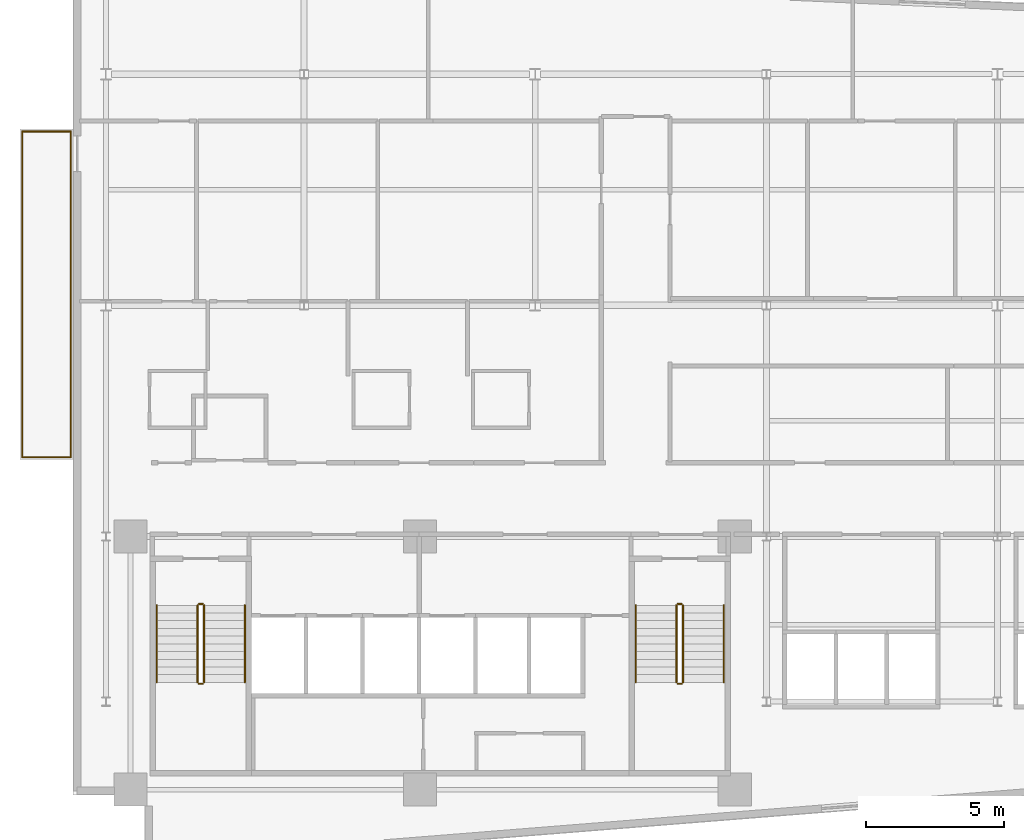
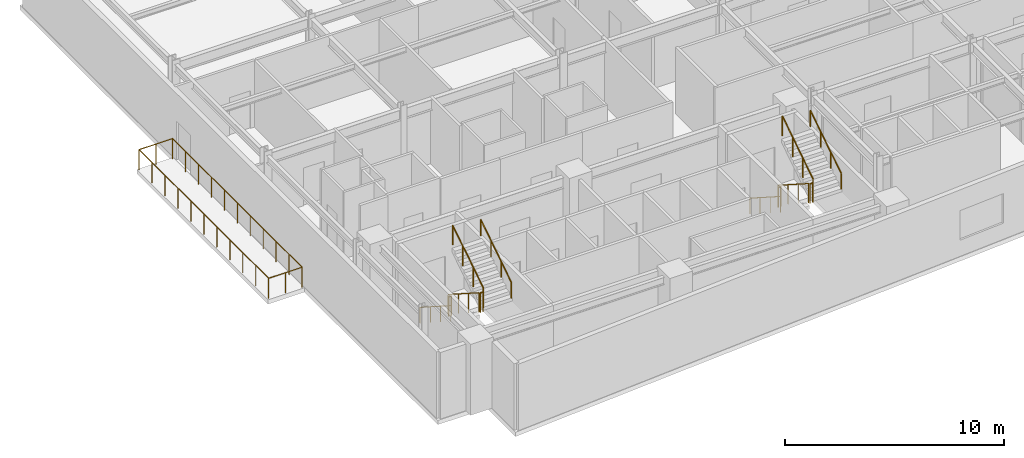
# One storey, part 15 of 18: 16 railings.
"""IFC4 building model written with IfcOpenShell, lengths in metres."""

from ifc_helpers import new_model, si_unit, direction, frame, origin, origin_2d, place, context, subcontext, project, spatial, circle, extrude, material, type_object, element, save


model = new_model("IFC4")

# Units and contexts
model_context = context("Model", 3, precision=1e-05, world=origin(), true_north=direction((0.0, 1.0)))
body_context = subcontext(model_context, "Body", "Model", "MODEL_VIEW")
ifc_project = project(units=[si_unit("LENGTHUNIT", "METRE"), si_unit("AREAUNIT", "SQUARE_METRE"), si_unit("VOLUMEUNIT", "CUBIC_METRE"), si_unit("PLANEANGLEUNIT", "RADIAN"), si_unit("MASSUNIT", "GRAM", prefix="KILO")], contexts=[model_context])

# Site, building, storey
site_placement = place(None, origin())
site = spatial("IfcSite", under=ifc_project, at=site_placement, CompositionType="ELEMENT")
building_placement = place(site_placement, origin())
building = spatial("IfcBuilding", under=site, at=building_placement, Name="Varnakote Quay Hospital", CompositionType="ELEMENT")
storey_placement = place(building_placement, frame((0.0, 0.0, 107.300048828125)))
storey = spatial("IfcBuildingStorey", under=building, at=storey_placement, Name="L26", CompositionType="ELEMENT", Elevation=107.300048828125)

# Railings
ifc_material_1 = material(Name="Anodised aluminium 6063-T6 Bronze", Category="aluminium")
railing_type_1 = type_object("IfcRailingType", Name="RLG-EXT-GUARD-1150", PredefinedType="GUARDRAIL", material=ifc_material_1)
railing_1_placement = place(storey_placement, frame((-0.075927734375, 14.8798828125, 0.0)))
element("IfcRailing", 1, at=railing_1_placement, inside=storey, type_object=railing_type_1, Name="L26 Zigzag Prow Healing Terrace Safety Guard", PredefinedType="GUARDRAIL", context=body_context, shape_type="SweptSolid", body=[
    extrude(circle(Radius=0.02392578125, at=origin_2d()), frame((0.0, 0.0, 1.1259765625), z_axis=(-1.0, 0.0, 0.0), x_axis=(0.0, -1.0, 0.0)), (0.0, 0.0, 1.0), 1.76416015625),
    extrude(circle(Radius=0.02099609375, at=origin_2d()), origin(), (0.0, 0.0, 1.0), 1.101806640625),
    extrude(circle(Radius=0.02099609375, at=origin_2d()), frame((-0.882080078125, 0.0, 0.0)), (0.0, 0.0, 1.0), 1.101806640625),
    extrude(circle(Radius=0.02099609375, at=origin_2d()), frame((-1.76416015625, 0.0, 0.0)), (0.0, 0.0, 1.0), 1.101806640625),
])
railing_2_placement = place(storey_placement, frame((-1.840087890625, 14.8798828125, 0.0)))
element("IfcRailing", 2, at=railing_2_placement, inside=storey, type_object=railing_type_1, Name="L26 Zigzag Prow Healing Terrace Safety Guard", PredefinedType="GUARDRAIL", context=body_context, shape_type="SweptSolid", body=[
    extrude(circle(Radius=0.02392578125, at=origin_2d()), frame((0.0, 0.0, 1.1259765625), z_axis=(0.0, 1.0, 0.0), x_axis=(-1.0, 0.0, 0.0)), (0.0, 0.0, 1.0), 11.840087890625),
    extrude(circle(Radius=0.02099609375, at=origin_2d()), origin(), (0.0, 0.0, 1.0), 1.101806640625),
    extrude(circle(Radius=0.02099609375, at=origin_2d()), frame((0.0, 1.18408203125, 0.0)), (0.0, 0.0, 1.0), 1.101806640625),
    extrude(circle(Radius=0.02099609375, at=origin_2d()), frame((0.0, 2.367919921875, 0.0)), (0.0, 0.0, 1.0), 1.101806640625),
    extrude(circle(Radius=0.02099609375, at=origin_2d()), frame((0.0, 3.552001953125, 0.0)), (0.0, 0.0, 1.0), 1.101806640625),
    extrude(circle(Radius=0.02099609375, at=origin_2d()), frame((0.0, 4.736083984375, 0.0)), (0.0, 0.0, 1.0), 1.101806640625),
    extrude(circle(Radius=0.02099609375, at=origin_2d()), frame((0.0, 5.919921875, 0.0)), (0.0, 0.0, 1.0), 1.101806640625),
    extrude(circle(Radius=0.02099609375, at=origin_2d()), frame((0.0, 7.10400390625, 0.0)), (0.0, 0.0, 1.0), 1.101806640625),
    extrude(circle(Radius=0.02099609375, at=origin_2d()), frame((0.0, 8.2880859375, 0.0)), (0.0, 0.0, 1.0), 1.101806640625),
    extrude(circle(Radius=0.02099609375, at=origin_2d()), frame((0.0, 9.47216796875, 0.0)), (0.0, 0.0, 1.0), 1.101806640625),
    extrude(circle(Radius=0.02099609375, at=origin_2d()), frame((0.0, 10.656005859375, 0.0)), (0.0, 0.0, 1.0), 1.101806640625),
    extrude(circle(Radius=0.02099609375, at=origin_2d()), frame((0.0, 11.840087890625, 0.0)), (0.0, 0.0, 1.0), 1.101806640625),
])
railing_3_placement = place(storey_placement, frame((-1.840087890625, 26.719970703125, 0.0)))
element("IfcRailing", 3, at=railing_3_placement, inside=storey, type_object=railing_type_1, Name="L26 Zigzag Prow Healing Terrace Safety Guard", PredefinedType="GUARDRAIL", context=body_context, shape_type="SweptSolid", body=[
    extrude(circle(Radius=0.02392578125, at=origin_2d()), frame((0.0, 0.0, 1.1259765625), z_axis=(1.0, 0.0, 0.0), x_axis=(0.0, 1.0, 0.0)), (0.0, 0.0, 1.0), 1.76416015625),
    extrude(circle(Radius=0.02099609375, at=origin_2d()), origin(), (0.0, 0.0, 1.0), 1.101806640625),
    extrude(circle(Radius=0.02099609375, at=origin_2d()), frame((0.882080078125, 0.0, 0.0)), (0.0, 0.0, 1.0), 1.101806640625),
    extrude(circle(Radius=0.02099609375, at=origin_2d()), frame((1.76416015625, 0.0, 0.0)), (0.0, 0.0, 1.0), 1.101806640625),
])
railing_4_placement = place(storey_placement, frame((-0.075927734375, 26.719970703125, 0.0)))
element("IfcRailing", 4, at=railing_4_placement, inside=storey, type_object=railing_type_1, Name="L26 Zigzag Prow Healing Terrace Safety Guard", PredefinedType="GUARDRAIL", context=body_context, shape_type="SweptSolid", body=[
    extrude(circle(Radius=0.02392578125, at=origin_2d()), frame((0.0, 0.0, 1.1259765625), z_axis=(0.0, -1.0, 0.0), x_axis=(1.0, 0.0, 0.0)), (0.0, 0.0, 1.0), 11.840087890625),
    extrude(circle(Radius=0.02099609375, at=origin_2d()), origin(), (0.0, 0.0, 1.0), 1.101806640625),
    extrude(circle(Radius=0.02099609375, at=origin_2d()), frame((0.0, -1.18408203125, 0.0)), (0.0, 0.0, 1.0), 1.101806640625),
    extrude(circle(Radius=0.02099609375, at=origin_2d()), frame((0.0, -2.367919921875, 0.0)), (0.0, 0.0, 1.0), 1.101806640625),
    extrude(circle(Radius=0.02099609375, at=origin_2d()), frame((0.0, -3.552001953125, 0.0)), (0.0, 0.0, 1.0), 1.101806640625),
    extrude(circle(Radius=0.02099609375, at=origin_2d()), frame((0.0, -4.736083984375, 0.0)), (0.0, 0.0, 1.0), 1.101806640625),
    extrude(circle(Radius=0.02099609375, at=origin_2d()), frame((0.0, -5.919921875, 0.0)), (0.0, 0.0, 1.0), 1.101806640625),
    extrude(circle(Radius=0.02099609375, at=origin_2d()), frame((0.0, -7.10400390625, 0.0)), (0.0, 0.0, 1.0), 1.101806640625),
    extrude(circle(Radius=0.02099609375, at=origin_2d()), frame((0.0, -8.2880859375, 0.0)), (0.0, 0.0, 1.0), 1.101806640625),
    extrude(circle(Radius=0.02099609375, at=origin_2d()), frame((0.0, -9.47216796875, 0.0)), (0.0, 0.0, 1.0), 1.101806640625),
    extrude(circle(Radius=0.02099609375, at=origin_2d()), frame((0.0, -10.656005859375, 0.0)), (0.0, 0.0, 1.0), 1.101806640625),
    extrude(circle(Radius=0.02099609375, at=origin_2d()), frame((0.0, -11.840087890625, 0.0)), (0.0, 0.0, 1.0), 1.101806640625),
])
ifc_material_2 = material(Name="Brushed stainless steel balustrade", Category="steel")
railing_type_2 = type_object("IfcRailingType", Name="RLG-STAIR-GUARD-1150", PredefinedType="GUARDRAIL", material=ifc_material_2)
railing_5_placement = place(storey_placement, frame((4.530029296875, 9.5, 0.179443359375)))
element("IfcRailing", 5, at=railing_5_placement, inside=storey, type_object=railing_type_2, Name="L26 ST-01 stair guard 1", PredefinedType="GUARDRAIL", context=body_context, shape_type="SweptSolid", body=[
    extrude(circle(Radius=0.02392578125, at=origin_2d()), frame((0.0, 0.0, 1.076171875), z_axis=(0.0, -0.841809871826, 0.539774156196), x_axis=(1.0, 0.0, 0.0)), (0.0, 0.0, 1.0), 3.326171875),
    extrude(circle(Radius=0.02099609375, at=origin_2d()), origin(), (0.0, 0.0, 1.0), 1.052001953125),
    extrude(circle(Radius=0.02099609375, at=origin_2d()), frame((0.0, -0.933349609375, 0.598388671875)), (0.0, 0.0, 1.0), 1.052001953125),
    extrude(circle(Radius=0.02099609375, at=origin_2d()), frame((0.0, -1.86669921875, 1.197021484375)), (0.0, 0.0, 1.0), 1.052001953125),
    extrude(circle(Radius=0.02099609375, at=origin_2d()), frame((0.0, -2.800048828125, 1.79541015625)), (0.0, 0.0, 1.0), 1.052001953125),
])
railing_6_placement = place(storey_placement, frame((4.580078125, 6.64990234375, 1.974853515625)))
element("IfcRailing", 6, at=railing_6_placement, inside=storey, type_object=railing_type_2, Name="L26 ST-01 stair guard 2", PredefinedType="GUARDRAIL", context=body_context, shape_type="SweptSolid", body=[
    extrude(circle(Radius=0.02392578125, at=origin_2d()), frame((0.0, 0.0, 1.076171875), z_axis=(1.0, 0.0, 0.0), x_axis=(0.0, 1.0, 0.0)), (0.0, 0.0, 1.0), 0.139892578125),
    extrude(circle(Radius=0.02099609375, at=origin_2d()), origin(), (0.0, 0.0, 1.0), 1.052001953125),
    extrude(circle(Radius=0.02099609375, at=origin_2d()), frame((0.139892578125, 0.0, 0.0)), (0.0, 0.0, 1.0), 1.052001953125),
])
railing_7_placement = place(storey_placement, frame((4.77001953125, 6.699951171875, 2.154541015625)))
element("IfcRailing", 7, at=railing_7_placement, inside=storey, type_object=railing_type_2, Name="L26 ST-01 stair guard 3", PredefinedType="GUARDRAIL", context=body_context, shape_type="SweptSolid", body=[
    extrude(circle(Radius=0.02392578125, at=origin_2d()), frame((0.0, 0.0, 1.076171875), z_axis=(0.0, 0.841809871826, 0.539774156196), x_axis=(-1.0, 0.0, 0.0)), (0.0, 0.0, 1.0), 3.326171875),
    extrude(circle(Radius=0.02099609375, at=origin_2d()), origin(), (0.0, 0.0, 1.0), 1.052001953125),
    extrude(circle(Radius=0.02099609375, at=origin_2d()), frame((0.0, 0.933349609375, 0.598388671875)), (0.0, 0.0, 1.0), 1.052001953125),
    extrude(circle(Radius=0.02099609375, at=origin_2d()), frame((0.0, 1.86669921875, 1.197021484375)), (0.0, 0.0, 1.0), 1.052001953125),
    extrude(circle(Radius=0.02099609375, at=origin_2d()), frame((0.0, 2.800048828125, 1.79541015625)), (0.0, 0.0, 1.0), 1.052001953125),
])
railing_8_placement = place(storey_placement, frame((4.580078125, 9.550048828125, 0.0)))
element("IfcRailing", 8, at=railing_8_placement, inside=storey, type_object=railing_type_2, Name="L26 ST-01 stair guard 4", PredefinedType="GUARDRAIL", context=body_context, shape_type="SweptSolid", body=[
    extrude(circle(Radius=0.02392578125, at=origin_2d()), frame((0.0, 0.0, 1.076171875), z_axis=(1.0, 0.0, 0.0), x_axis=(0.0, 1.0, 0.0)), (0.0, 0.0, 1.0), 0.139892578125),
    extrude(circle(Radius=0.02099609375, at=origin_2d()), origin(), (0.0, 0.0, 1.0), 1.052001953125),
    extrude(circle(Radius=0.02099609375, at=origin_2d()), frame((0.139892578125, 0.0, 0.0)), (0.0, 0.0, 1.0), 1.052001953125),
])
railing_9_placement = place(storey_placement, frame((21.929931640625, 9.5, 0.179443359375)))
element("IfcRailing", 9, at=railing_9_placement, inside=storey, type_object=railing_type_2, Name="L26 ST-02 stair guard 1", PredefinedType="GUARDRAIL", context=body_context, shape_type="SweptSolid", body=[
    extrude(circle(Radius=0.02392578125, at=origin_2d()), frame((0.0, 0.0, 1.076171875), z_axis=(0.0, -0.841809871826, 0.539774156196), x_axis=(1.0, 0.0, 0.0)), (0.0, 0.0, 1.0), 3.326171875),
    extrude(circle(Radius=0.02099609375, at=origin_2d()), origin(), (0.0, 0.0, 1.0), 1.052001953125),
    extrude(circle(Radius=0.02099609375, at=origin_2d()), frame((0.0, -0.933349609375, 0.598388671875)), (0.0, 0.0, 1.0), 1.052001953125),
    extrude(circle(Radius=0.02099609375, at=origin_2d()), frame((0.0, -1.86669921875, 1.197021484375)), (0.0, 0.0, 1.0), 1.052001953125),
    extrude(circle(Radius=0.02099609375, at=origin_2d()), frame((0.0, -2.800048828125, 1.79541015625)), (0.0, 0.0, 1.0), 1.052001953125),
])
railing_10_placement = place(storey_placement, frame((21.97998046875, 6.64990234375, 1.974853515625)))
element("IfcRailing", 10, at=railing_10_placement, inside=storey, type_object=railing_type_2, Name="L26 ST-02 stair guard 2", PredefinedType="GUARDRAIL", context=body_context, shape_type="SweptSolid", body=[
    extrude(circle(Radius=0.02392578125, at=origin_2d()), frame((0.0, 0.0, 1.076171875), z_axis=(1.0, 0.0, 0.0), x_axis=(0.0, 1.0, 0.0)), (0.0, 0.0, 1.0), 0.14013671875),
    extrude(circle(Radius=0.02099609375, at=origin_2d()), origin(), (0.0, 0.0, 1.0), 1.052001953125),
    extrude(circle(Radius=0.02099609375, at=origin_2d()), frame((0.14013671875, 0.0, 0.0)), (0.0, 0.0, 1.0), 1.052001953125),
])
railing_11_placement = place(storey_placement, frame((22.169921875, 6.699951171875, 2.154541015625)))
element("IfcRailing", 11, at=railing_11_placement, inside=storey, type_object=railing_type_2, Name="L26 ST-02 stair guard 3", PredefinedType="GUARDRAIL", context=body_context, shape_type="SweptSolid", body=[
    extrude(circle(Radius=0.02392578125, at=origin_2d()), frame((0.0, 0.0, 1.076171875), z_axis=(0.0, 0.841809871826, 0.539774156196), x_axis=(-1.0, 0.0, 0.0)), (0.0, 0.0, 1.0), 3.326171875),
    extrude(circle(Radius=0.02099609375, at=origin_2d()), origin(), (0.0, 0.0, 1.0), 1.052001953125),
    extrude(circle(Radius=0.02099609375, at=origin_2d()), frame((0.0, 0.933349609375, 0.598388671875)), (0.0, 0.0, 1.0), 1.052001953125),
    extrude(circle(Radius=0.02099609375, at=origin_2d()), frame((0.0, 1.86669921875, 1.197021484375)), (0.0, 0.0, 1.0), 1.052001953125),
    extrude(circle(Radius=0.02099609375, at=origin_2d()), frame((0.0, 2.800048828125, 1.79541015625)), (0.0, 0.0, 1.0), 1.052001953125),
])
railing_12_placement = place(storey_placement, frame((21.97998046875, 9.550048828125, 0.0)))
element("IfcRailing", 12, at=railing_12_placement, inside=storey, type_object=railing_type_2, Name="L26 ST-02 stair guard 4", PredefinedType="GUARDRAIL", context=body_context, shape_type="SweptSolid", body=[
    extrude(circle(Radius=0.02392578125, at=origin_2d()), frame((0.0, 0.0, 1.076171875), z_axis=(1.0, 0.0, 0.0), x_axis=(0.0, 1.0, 0.0)), (0.0, 0.0, 1.0), 0.14013671875),
    extrude(circle(Radius=0.02099609375, at=origin_2d()), origin(), (0.0, 0.0, 1.0), 1.052001953125),
    extrude(circle(Radius=0.02099609375, at=origin_2d()), frame((0.14013671875, 0.0, 0.0)), (0.0, 0.0, 1.0), 1.052001953125),
])
ifc_material_3 = material(Name="Brushed stainless steel handrail", Category="steel")
railing_type_3 = type_object("IfcRailingType", Name="RLG-STAIR-HND-920", PredefinedType="HANDRAIL", material=ifc_material_3)
railing_13_placement = place(storey_placement, frame((3.050048828125, 9.5, 0.179443359375)))
element("IfcRailing", 13, at=railing_13_placement, inside=storey, type_object=railing_type_3, Name="L26 ST-01 stair handrail 1", PredefinedType="HANDRAIL", context=body_context, shape_type="SweptSolid", body=[
    extrude(circle(Radius=0.02392578125, at=origin_2d()), frame((0.0, 0.0, 0.8759765625), z_axis=(0.0, -0.841809871826, 0.539774156196), x_axis=(1.0, 0.0, 0.0)), (0.0, 0.0, 1.0), 3.326171875),
    extrude(circle(Radius=0.02099609375, at=origin_2d()), origin(), (0.0, 0.0, 1.0), 0.851806640625),
    extrude(circle(Radius=0.02099609375, at=origin_2d()), frame((0.0, -0.933349609375, 0.598388671875)), (0.0, 0.0, 1.0), 0.851806640625),
    extrude(circle(Radius=0.02099609375, at=origin_2d()), frame((0.0, -1.86669921875, 1.197021484375)), (0.0, 0.0, 1.0), 0.851806640625),
    extrude(circle(Radius=0.02099609375, at=origin_2d()), frame((0.0, -2.800048828125, 1.79541015625)), (0.0, 0.0, 1.0), 0.851806640625),
])
railing_14_placement = place(storey_placement, frame((6.25, 6.699951171875, 2.154541015625)))
element("IfcRailing", 14, at=railing_14_placement, inside=storey, type_object=railing_type_3, Name="L26 ST-01 stair handrail 2", PredefinedType="HANDRAIL", context=body_context, shape_type="SweptSolid", body=[
    extrude(circle(Radius=0.02392578125, at=origin_2d()), frame((0.0, 0.0, 0.8759765625), z_axis=(0.0, 0.841809871826, 0.539774156196), x_axis=(-1.0, 0.0, 0.0)), (0.0, 0.0, 1.0), 3.326171875),
    extrude(circle(Radius=0.02099609375, at=origin_2d()), origin(), (0.0, 0.0, 1.0), 0.851806640625),
    extrude(circle(Radius=0.02099609375, at=origin_2d()), frame((0.0, 0.933349609375, 0.598388671875)), (0.0, 0.0, 1.0), 0.851806640625),
    extrude(circle(Radius=0.02099609375, at=origin_2d()), frame((0.0, 1.86669921875, 1.197021484375)), (0.0, 0.0, 1.0), 0.851806640625),
    extrude(circle(Radius=0.02099609375, at=origin_2d()), frame((0.0, 2.800048828125, 1.79541015625)), (0.0, 0.0, 1.0), 0.851806640625),
])
railing_15_placement = place(storey_placement, frame((20.449951171875, 9.5, 0.179443359375)))
element("IfcRailing", 15, at=railing_15_placement, inside=storey, type_object=railing_type_3, Name="L26 ST-02 stair handrail 1", PredefinedType="HANDRAIL", context=body_context, shape_type="SweptSolid", body=[
    extrude(circle(Radius=0.02392578125, at=origin_2d()), frame((0.0, 0.0, 0.8759765625), z_axis=(0.0, -0.841809871826, 0.539774156196), x_axis=(1.0, 0.0, 0.0)), (0.0, 0.0, 1.0), 3.326171875),
    extrude(circle(Radius=0.02099609375, at=origin_2d()), origin(), (0.0, 0.0, 1.0), 0.851806640625),
    extrude(circle(Radius=0.02099609375, at=origin_2d()), frame((0.0, -0.933349609375, 0.598388671875)), (0.0, 0.0, 1.0), 0.851806640625),
    extrude(circle(Radius=0.02099609375, at=origin_2d()), frame((0.0, -1.86669921875, 1.197021484375)), (0.0, 0.0, 1.0), 0.851806640625),
    extrude(circle(Radius=0.02099609375, at=origin_2d()), frame((0.0, -2.800048828125, 1.79541015625)), (0.0, 0.0, 1.0), 0.851806640625),
])
railing_16_placement = place(storey_placement, frame((23.64990234375, 6.699951171875, 2.154541015625)))
element("IfcRailing", 16, at=railing_16_placement, inside=storey, type_object=railing_type_3, Name="L26 ST-02 stair handrail 2", PredefinedType="HANDRAIL", context=body_context, shape_type="SweptSolid", body=[
    extrude(circle(Radius=0.02392578125, at=origin_2d()), frame((0.0, 0.0, 0.8759765625), z_axis=(0.0, 0.841809871826, 0.539774156196), x_axis=(-1.0, 0.0, 0.0)), (0.0, 0.0, 1.0), 3.326171875),
    extrude(circle(Radius=0.02099609375, at=origin_2d()), origin(), (0.0, 0.0, 1.0), 0.851806640625),
    extrude(circle(Radius=0.02099609375, at=origin_2d()), frame((0.0, 0.933349609375, 0.598388671875)), (0.0, 0.0, 1.0), 0.851806640625),
    extrude(circle(Radius=0.02099609375, at=origin_2d()), frame((0.0, 1.86669921875, 1.197021484375)), (0.0, 0.0, 1.0), 0.851806640625),
    extrude(circle(Radius=0.02099609375, at=origin_2d()), frame((0.0, 2.800048828125, 1.79541015625)), (0.0, 0.0, 1.0), 0.851806640625),
])

save(model, "model.ifc")
